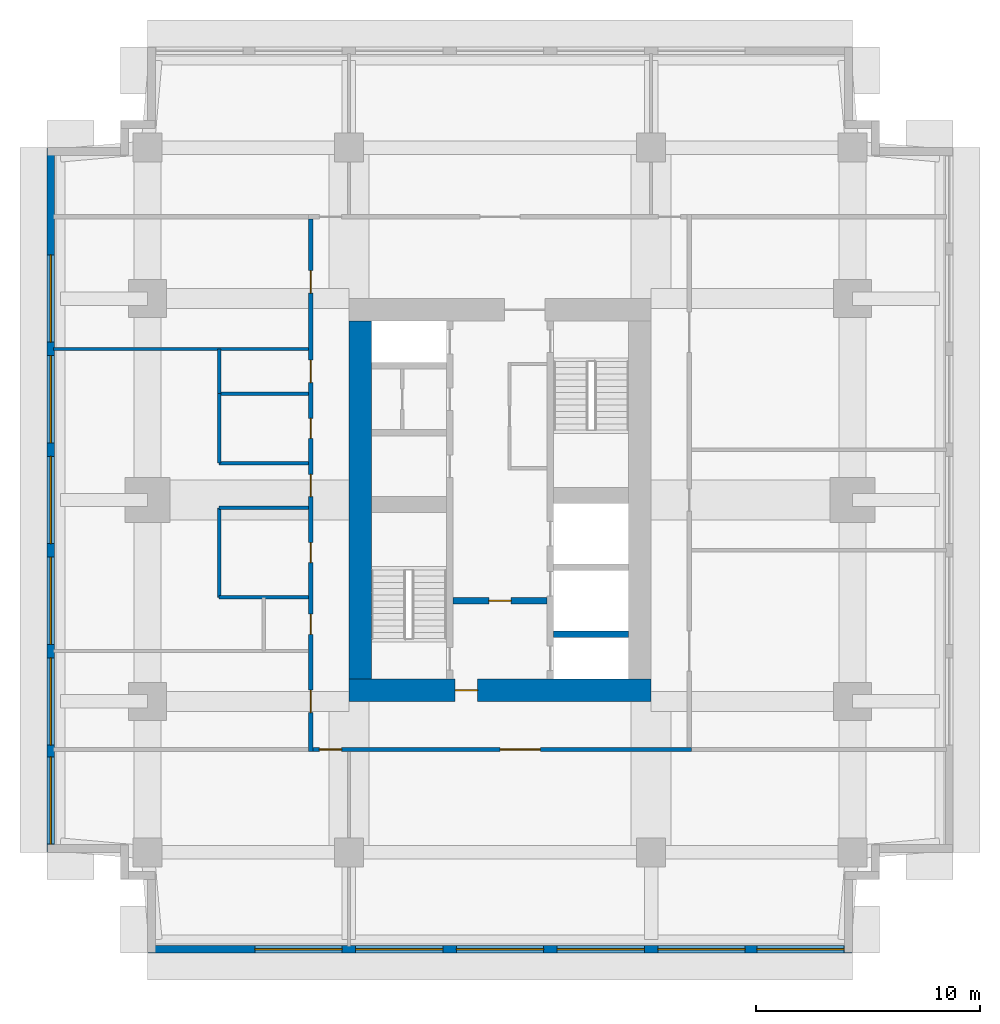
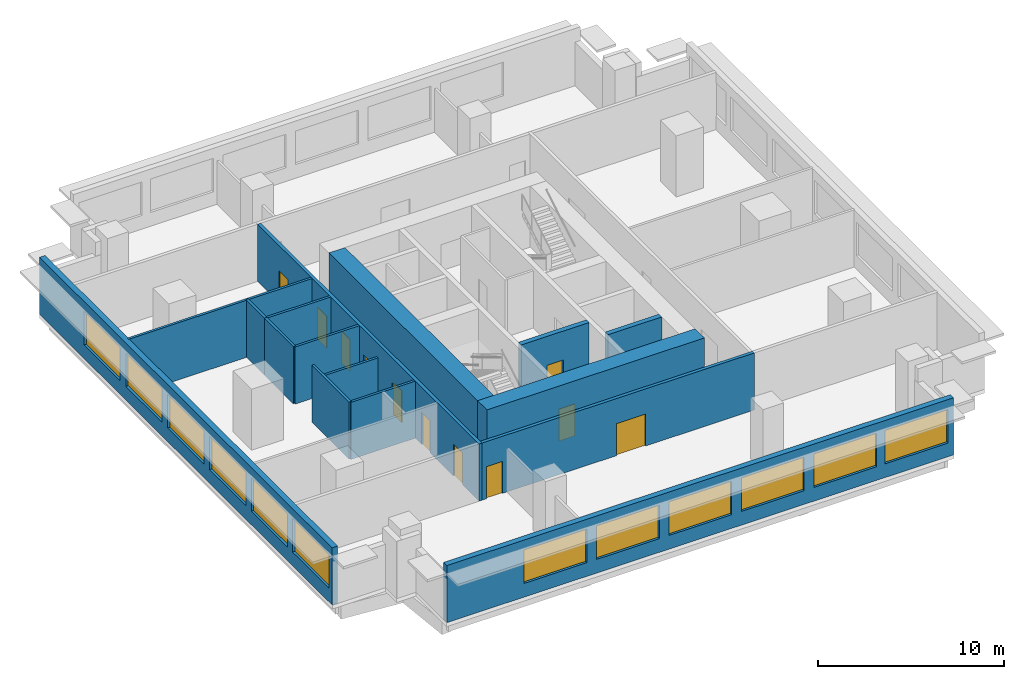
# One storey, part 2 of 5: 16 walls, 12 windows, 11 doors, 23 openings.
"""IFC4 building model written with IfcOpenShell, lengths in metres."""

from ifc_helpers import new_model, si_unit, direction, frame, frame_2d, origin, place, context, subcontext, project, spatial, rectangle, extrude, material, layer, layer_set, type_object, element, fill, save


model = new_model("IFC4")

# Units and contexts
model_context = context("Model", 3, precision=1e-05, world=origin(), true_north=direction((0.0, 1.0)))
body_context = subcontext(model_context, "Body", "Model", "MODEL_VIEW")
ifc_project = project(units=[si_unit("LENGTHUNIT", "METRE"), si_unit("AREAUNIT", "SQUARE_METRE"), si_unit("VOLUMEUNIT", "CUBIC_METRE"), si_unit("PLANEANGLEUNIT", "RADIAN"), si_unit("MASSUNIT", "GRAM", prefix="KILO")], contexts=[model_context])

# Site, building, storey
site_placement = place(None, origin())
site = spatial("IfcSite", under=ifc_project, at=site_placement, CompositionType="ELEMENT")
building_placement = place(site_placement, origin())
building = spatial("IfcBuilding", under=site, at=building_placement, Name="Namib Vertical Campus", CompositionType="ELEMENT")
storey_placement = place(building_placement, frame((0.0, 0.0, 281.0)))
storey = spatial("IfcBuildingStorey", under=building, at=storey_placement, Name="L66", CompositionType="ELEMENT", Elevation=281.0)

# Wall, opening, door
ifc_material_1 = material(Name="Concrete C60/75", Category="concrete")
ifc_layer_1 = layer(ifc_material_1, 0.300048828125)
ifc_layer_set_1 = layer_set([ifc_layer_1], Name="Concrete C60/75")
wall_type_1 = type_object("IfcWallType", Name="Core inner wall 300", PredefinedType="SHEAR", material=ifc_layer_set_1)
wall_1_placement = place(storey_placement, frame((18.14990234375, 15.75, 0.0), z_axis=(0.0, 0.0, 1.0), x_axis=(1.0, 0.0, 0.0)))
wall_1 = element("IfcWall", 1, at=wall_1_placement, inside=storey, type_object=wall_type_1, Name="Core inner wall A L66 W4", PredefinedType="SHEAR", context=body_context, shape_type="SweptSolid", body=[
    extrude(rectangle(XDim=4.2001953125, YDim=0.300048828125, at=frame_2d((2.10009765625, 0.0))), origin(), (0.0, 0.0, 1.0), 4.0),
])
opening_1_placement = place(wall_1_placement, frame((1.60009765625, 0.0, 0.0)))
opening_1 = element("IfcOpeningElement", 2, at=opening_1_placement, cuts=wall_1, Name="Opening FD5", PredefinedType="OPENING", context=body_context, shape_type="SweptSolid", body=[
    extrude(rectangle(XDim=1.0, YDim=2.10009765625, at=frame_2d((0.5, 1.050048828125))), frame((0.0, 0.159912109375, 0.0), z_axis=(0.0, -1.0, 0.0), x_axis=(1.0, 0.0, 0.0)), (0.0, 0.0, 1.0), 0.320068359375),
])
ifc_material_2 = material(Name="Steel fire door", Category="steel")
door_type_1 = type_object("IfcDoorType", Name="Fire door 1000x2100 120 min", OperationType="SINGLE_SWING_RIGHT", PredefinedType="DOOR", material=ifc_material_2)
door_1_placement = place(opening_1_placement, frame((1.0, 0.0, 0.0), z_axis=(0.0, 0.0, 1.0), x_axis=(-1.0, 0.0, 0.0)))
door_1 = element("IfcDoor", 3, at=door_1_placement, inside=storey, type_object=door_type_1, Name="Lobby door FD5 A L66", OperationType="SINGLE_SWING_RIGHT", OverallHeight=2.10009765625, OverallWidth=1.0, PredefinedType="DOOR", context=body_context, shape_type="SweptSolid", body=[
    extrude(rectangle(XDim=1.0, YDim=2.10009765625, at=frame_2d((0.5, 1.050048828125))), frame((0.0, 0.02490234375, 0.0), z_axis=(0.0, -1.0, 0.0), x_axis=(1.0, 0.0, 0.0)), (0.0, 0.0, 1.0), 0.050048828125),
])
fill(opening_1, door_1)

# Wall
wall_2_placement = place(storey_placement, frame((22.64990234375, 14.25, 0.0), z_axis=(0.0, 0.0, 1.0), x_axis=(1.0, 0.0, 0.0)))
element("IfcWall", 4, at=wall_2_placement, inside=storey, type_object=wall_type_1, Name="Core inner wall A L66 W5", PredefinedType="SHEAR", context=body_context, shape_type="SweptSolid", body=[
    extrude(rectangle(XDim=3.35009765625, YDim=0.300048828125, at=frame_2d((1.675048828125, 0.0))), origin(), (0.0, 0.0, 1.0), 4.0),
])

# Wall, opening, door
ifc_material_3 = material(Name="Concrete C60/75", Category="concrete")
ifc_layer_2 = layer(ifc_material_3, 1.0)
ifc_layer_set_2 = layer_set([ifc_layer_2], Name="Concrete C60/75")
wall_type_2 = type_object("IfcWallType", Name="Core wall 1000", PredefinedType="SHEAR", material=ifc_layer_set_2)
wall_3_placement = place(storey_placement, frame((13.5, 11.75, 0.0), z_axis=(0.0, 0.0, 1.0), x_axis=(1.0, 0.0, 0.0)))
wall_3 = element("IfcWall", 5, at=wall_3_placement, inside=storey, type_object=wall_type_2, Name="Core wall A L66 1", PredefinedType="SHEAR", context=body_context, shape_type="SweptSolid", body=[
    extrude(rectangle(XDim=13.5, YDim=1.0, at=frame_2d((6.75, 0.0))), origin(), (0.0, 0.0, 1.0), 4.0),
])
opening_2_placement = place(wall_3_placement, frame((4.75, 0.0, 0.0)))
opening_2 = element("IfcOpeningElement", 6, at=opening_2_placement, cuts=wall_3, Name="Opening FD5", PredefinedType="OPENING", context=body_context, shape_type="SweptSolid", body=[
    extrude(rectangle(XDim=1.0, YDim=2.10009765625, at=frame_2d((0.5, 1.050048828125))), frame((0.0, 0.510009765625, 0.0), z_axis=(0.0, -1.0, 0.0), x_axis=(1.0, 0.0, 0.0)), (0.0, 0.0, 1.0), 1.02001953125),
])
door_2_placement = place(opening_2_placement, origin())
door_2 = element("IfcDoor", 7, at=door_2_placement, inside=storey, type_object=door_type_1, Name="Firefighting lobby door FD5 A L66", OperationType="SINGLE_SWING_LEFT", OverallHeight=2.10009765625, OverallWidth=1.0, PredefinedType="DOOR", context=body_context, shape_type="SweptSolid", body=[
    extrude(rectangle(XDim=1.0, YDim=2.10009765625, at=frame_2d((0.5, 1.050048828125))), frame((0.0, 0.02490234375, 0.0), z_axis=(0.0, -1.0, 0.0), x_axis=(1.0, 0.0, 0.0)), (0.0, 0.0, 1.0), 0.050048828125),
])
fill(opening_2, door_2)

# Wall
wall_4_placement = place(storey_placement, frame((14.0, 28.25, 0.0), z_axis=(0.0, 0.0, 1.0), x_axis=(0.0, -1.0, 0.0)))
element("IfcWall", 8, at=wall_4_placement, inside=storey, type_object=wall_type_2, Name="Core wall A L66 4", PredefinedType="SHEAR", context=body_context, shape_type="SweptSolid", body=[
    extrude(rectangle(XDim=16.0, YDim=1.0, at=frame_2d((8.0, 0.0))), origin(), (0.0, 0.0, 1.0), 4.0),
])

# Wall, openings, doors
ifc_material_4 = material(Name="Concrete masonry", Category="masonry")
ifc_layer_3 = layer(ifc_material_4, 0.199951171875)
ifc_layer_set_3 = layer_set([ifc_layer_3], Name="Corridor wall 200")
wall_type_3 = type_object("IfcWallType", Name="Corridor wall 200", PredefinedType="SOLIDWALL", material=ifc_layer_set_3)
wall_5_placement = place(storey_placement, frame((11.89990234375, 9.10009765625, 0.0), z_axis=(0.0, 0.0, 1.0), x_axis=(1.0, 0.0, 0.0)))
wall_5 = element("IfcWall", 9, at=wall_5_placement, inside=storey, type_object=wall_type_3, Name="Corridor wall A L66 CS", PredefinedType="SOLIDWALL", context=body_context, shape_type="SweptSolid", body=[
    extrude(rectangle(XDim=16.900146484375, YDim=0.199951171875, at=frame_2d((8.4501953125, 0.0))), origin(), (0.0, 0.0, 1.0), 3.75),
])
opening_3_placement = place(wall_5_placement, frame((0.27490234375, 0.0, 0.0)))
opening_3 = element("IfcOpeningElement", 10, at=opening_3_placement, cuts=wall_5, Name="Opening CD1", PredefinedType="OPENING", context=body_context, shape_type="SweptSolid", body=[
    extrude(rectangle(XDim=1.0, YDim=2.10009765625, at=frame_2d((0.5, 1.050048828125))), frame((0.0, 0.10986328125, 0.0), z_axis=(0.0, -1.0, 0.0), x_axis=(1.0, 0.0, 0.0)), (0.0, 0.0, 1.0), 0.219970703125),
])
opening_4_placement = place(wall_5_placement, frame((8.35009765625, 0.0, 0.0)))
opening_4 = element("IfcOpeningElement", 11, at=opening_4_placement, cuts=wall_5, Name="Opening CD2", PredefinedType="OPENING", context=body_context, shape_type="SweptSolid", body=[
    extrude(rectangle(XDim=1.800048828125, YDim=2.10009765625, at=frame_2d((0.89990234375, 1.050048828125))), frame((0.0, 0.10986328125, 0.0), z_axis=(0.0, -1.0, 0.0), x_axis=(1.0, 0.0, 0.0)), (0.0, 0.0, 1.0), 0.219970703125),
])
ifc_material_5 = material(Name="Timber fire door leaf", Category="wood")
door_type_2 = type_object("IfcDoorType", Name="Corridor door 1000x2100 20 min", OperationType="SINGLE_SWING_LEFT", PredefinedType="DOOR", material=ifc_material_5)
door_3_placement = place(opening_3_placement, frame((1.0, 0.0, 0.0), z_axis=(0.0, 0.0, 1.0), x_axis=(-1.0, 0.0, 0.0)))
door_3 = element("IfcDoor", 12, at=door_3_placement, inside=storey, type_object=door_type_2, Name="Door CD1 A66-01", OperationType="SINGLE_SWING_LEFT", OverallHeight=2.10009765625, OverallWidth=1.0, PredefinedType="DOOR", context=body_context, shape_type="SweptSolid", body=[
    extrude(rectangle(XDim=1.0, YDim=2.10009765625, at=frame_2d((0.5, 1.050048828125))), frame((0.0, 0.02490234375, 0.0), z_axis=(0.0, -1.0, 0.0), x_axis=(1.0, 0.0, 0.0)), (0.0, 0.0, 1.0), 0.050048828125),
])
fill(opening_3, door_3)
ifc_material_6 = material(Name="Timber fire door leaf", Category="wood")
door_type_3 = type_object("IfcDoorType", Name="Corridor door double 1800x2100 20 min", OperationType="DOUBLE_DOOR_SINGLE_SWING", PredefinedType="DOOR", material=ifc_material_6)
door_4_placement = place(opening_4_placement, frame((1.800048828125, 0.0, 0.0), z_axis=(0.0, 0.0, 1.0), x_axis=(-1.0, 0.0, 0.0)))
door_4 = element("IfcDoor", 13, at=door_4_placement, inside=storey, type_object=door_type_3, Name="Door CD2 A66-02", OperationType="DOUBLE_DOOR_SINGLE_SWING", OverallHeight=2.10009765625, OverallWidth=1.800048828125, PredefinedType="DOOR", context=body_context, shape_type="SweptSolid", body=[
    extrude(rectangle(XDim=1.800048828125, YDim=2.10009765625, at=frame_2d((0.89990234375, 1.050048828125))), frame((0.0, 0.02490234375, 0.0), z_axis=(0.0, -1.0, 0.0), x_axis=(1.0, 0.0, 0.0)), (0.0, 0.0, 1.0), 0.050048828125),
])
fill(opening_4, door_4)

wall_6_placement = place(storey_placement, frame((11.800048828125, 32.800048828125, 0.0), z_axis=(0.0, 0.0, 1.0), x_axis=(0.0, -1.0, 0.0)))
wall_6 = element("IfcWall", 14, at=wall_6_placement, inside=storey, type_object=wall_type_3, Name="Corridor wall A L66 CW", PredefinedType="SOLIDWALL", context=body_context, shape_type="SweptSolid", body=[
    extrude(rectangle(XDim=23.800048828125, YDim=0.199951171875, at=frame_2d((11.89990234375, 0.0))), origin(), (0.0, 0.0, 1.0), 3.75),
])
opening_5_placement = place(wall_6_placement, frame((21.050048828125, 0.0, 0.0)))
opening_5 = element("IfcOpeningElement", 15, at=opening_5_placement, cuts=wall_6, Name="Opening CD1", PredefinedType="OPENING", context=body_context, shape_type="SweptSolid", body=[
    extrude(rectangle(XDim=1.0, YDim=2.10009765625, at=frame_2d((0.5, 1.050048828125))), frame((0.0, 0.10986328125, 0.0), z_axis=(0.0, -1.0, 0.0), x_axis=(1.0, 0.0, 0.0)), (0.0, 0.0, 1.0), 0.219970703125),
])
opening_6_placement = place(wall_6_placement, frame((17.64990234375, 0.0, 0.0)))
opening_6 = element("IfcOpeningElement", 16, at=opening_6_placement, cuts=wall_6, Name="Opening CD3", PredefinedType="OPENING", context=body_context, shape_type="SweptSolid", body=[
    extrude(rectangle(XDim=0.89990234375, YDim=2.10009765625, at=frame_2d((0.449951171875, 1.050048828125))), frame((0.0, 0.10986328125, 0.0), z_axis=(0.0, -1.0, 0.0), x_axis=(1.0, 0.0, 0.0)), (0.0, 0.0, 1.0), 0.219970703125),
])
opening_7_placement = place(wall_6_placement, frame((14.449951171875, 0.0, 0.0)))
opening_7 = element("IfcOpeningElement", 17, at=opening_7_placement, cuts=wall_6, Name="Opening CD3", PredefinedType="OPENING", context=body_context, shape_type="SweptSolid", body=[
    extrude(rectangle(XDim=0.89990234375, YDim=2.10009765625, at=frame_2d((0.449951171875, 1.050048828125))), frame((0.0, 0.10986328125, 0.0), z_axis=(0.0, -1.0, 0.0), x_axis=(1.0, 0.0, 0.0)), (0.0, 0.0, 1.0), 0.219970703125),
])
opening_8_placement = place(wall_6_placement, frame((8.89990234375, 0.0, 0.0)))
opening_8 = element("IfcOpeningElement", 18, at=opening_8_placement, cuts=wall_6, Name="Opening CD3", PredefinedType="OPENING", context=body_context, shape_type="SweptSolid", body=[
    extrude(rectangle(XDim=0.89990234375, YDim=2.10009765625, at=frame_2d((0.449951171875, 1.050048828125))), frame((0.0, 0.10986328125, 0.0), z_axis=(0.0, -1.0, 0.0), x_axis=(1.0, 0.0, 0.0)), (0.0, 0.0, 1.0), 0.219970703125),
])
opening_9_placement = place(wall_6_placement, frame((6.300048828125, 0.0, 0.0)))
opening_9 = element("IfcOpeningElement", 19, at=opening_9_placement, cuts=wall_6, Name="Opening CD1", PredefinedType="OPENING", context=body_context, shape_type="SweptSolid", body=[
    extrude(rectangle(XDim=1.0, YDim=2.10009765625, at=frame_2d((0.5, 1.050048828125))), frame((0.0, 0.10986328125, 0.0), z_axis=(0.0, -1.0, 0.0), x_axis=(1.0, 0.0, 0.0)), (0.0, 0.0, 1.0), 0.219970703125),
])
opening_10_placement = place(wall_6_placement, frame((11.39990234375, 0.0, 0.0)))
opening_10 = element("IfcOpeningElement", 20, at=opening_10_placement, cuts=wall_6, Name="Opening CD1", PredefinedType="OPENING", context=body_context, shape_type="SweptSolid", body=[
    extrude(rectangle(XDim=1.0, YDim=2.10009765625, at=frame_2d((0.5, 1.050048828125))), frame((0.0, 0.10986328125, 0.0), z_axis=(0.0, -1.0, 0.0), x_axis=(1.0, 0.0, 0.0)), (0.0, 0.0, 1.0), 0.219970703125),
])
opening_11_placement = place(wall_6_placement, frame((2.300048828125, 0.0, 0.0)))
opening_11 = element("IfcOpeningElement", 21, at=opening_11_placement, cuts=wall_6, Name="Opening CD1", PredefinedType="OPENING", context=body_context, shape_type="SweptSolid", body=[
    extrude(rectangle(XDim=1.0, YDim=2.10009765625, at=frame_2d((0.5, 1.050048828125))), frame((0.0, 0.10986328125, 0.0), z_axis=(0.0, -1.0, 0.0), x_axis=(1.0, 0.0, 0.0)), (0.0, 0.0, 1.0), 0.219970703125),
])
door_5_placement = place(opening_5_placement, frame((1.0, 0.0, 0.0), z_axis=(0.0, 0.0, 1.0), x_axis=(-1.0, 0.0, 0.0)))
door_5 = element("IfcDoor", 22, at=door_5_placement, inside=storey, type_object=door_type_2, Name="Door CD1 A66-09", OperationType="SINGLE_SWING_RIGHT", OverallHeight=2.10009765625, OverallWidth=1.0, PredefinedType="DOOR", context=body_context, shape_type="SweptSolid", body=[
    extrude(rectangle(XDim=1.0, YDim=2.10009765625, at=frame_2d((0.5, 1.050048828125))), frame((0.0, 0.02490234375, 0.0), z_axis=(0.0, -1.0, 0.0), x_axis=(1.0, 0.0, 0.0)), (0.0, 0.0, 1.0), 0.050048828125),
])
fill(opening_5, door_5)
door_6_placement = place(opening_9_placement, frame((1.0, 0.0, 0.0), z_axis=(0.0, 0.0, 1.0), x_axis=(-1.0, 0.0, 0.0)))
door_6 = element("IfcDoor", 23, at=door_6_placement, inside=storey, type_object=door_type_2, Name="Door CD1 A66-13", OperationType="SINGLE_SWING_RIGHT", OverallHeight=2.10009765625, OverallWidth=1.0, PredefinedType="DOOR", context=body_context, shape_type="SweptSolid", body=[
    extrude(rectangle(XDim=1.0, YDim=2.10009765625, at=frame_2d((0.5, 1.050048828125))), frame((0.0, 0.02490234375, 0.0), z_axis=(0.0, -1.0, 0.0), x_axis=(1.0, 0.0, 0.0)), (0.0, 0.0, 1.0), 0.050048828125),
])
fill(opening_9, door_6)
door_7_placement = place(opening_10_placement, frame((1.0, 0.0, 0.0), z_axis=(0.0, 0.0, 1.0), x_axis=(-1.0, 0.0, 0.0)))
door_7 = element("IfcDoor", 24, at=door_7_placement, inside=storey, type_object=door_type_2, Name="Door CD1 A66-14", OperationType="SINGLE_SWING_RIGHT", OverallHeight=2.10009765625, OverallWidth=1.0, PredefinedType="DOOR", context=body_context, shape_type="SweptSolid", body=[
    extrude(rectangle(XDim=1.0, YDim=2.10009765625, at=frame_2d((0.5, 1.050048828125))), frame((0.0, 0.02490234375, 0.0), z_axis=(0.0, -1.0, 0.0), x_axis=(1.0, 0.0, 0.0)), (0.0, 0.0, 1.0), 0.050048828125),
])
fill(opening_10, door_7)
door_8_placement = place(opening_11_placement, frame((1.0, 0.0, 0.0), z_axis=(0.0, 0.0, 1.0), x_axis=(-1.0, 0.0, 0.0)))
door_8 = element("IfcDoor", 25, at=door_8_placement, inside=storey, type_object=door_type_2, Name="Door CD1 A66-15", OperationType="SINGLE_SWING_RIGHT", OverallHeight=2.10009765625, OverallWidth=1.0, PredefinedType="DOOR", context=body_context, shape_type="SweptSolid", body=[
    extrude(rectangle(XDim=1.0, YDim=2.10009765625, at=frame_2d((0.5, 1.050048828125))), frame((0.0, 0.02490234375, 0.0), z_axis=(0.0, -1.0, 0.0), x_axis=(1.0, 0.0, 0.0)), (0.0, 0.0, 1.0), 0.050048828125),
])
fill(opening_11, door_8)
ifc_material_7 = material(Name="Timber fire door leaf", Category="wood")
door_type_4 = type_object("IfcDoorType", Name="Corridor toilet door 900x2100 20 min", OperationType="SINGLE_SWING_LEFT", PredefinedType="DOOR", material=ifc_material_7)
door_9_placement = place(opening_6_placement, frame((0.89990234375, 0.0, 0.0), z_axis=(0.0, 0.0, 1.0), x_axis=(-1.0, 0.0, 0.0)))
door_9 = element("IfcDoor", 26, at=door_9_placement, inside=storey, type_object=door_type_4, Name="Door CD3 A66-10", OperationType="SINGLE_SWING_RIGHT", OverallHeight=2.10009765625, OverallWidth=0.89990234375, PredefinedType="DOOR", context=body_context, shape_type="SweptSolid", body=[
    extrude(rectangle(XDim=0.89990234375, YDim=2.10009765625, at=frame_2d((0.449951171875, 1.050048828125))), frame((0.0, 0.02490234375, 0.0), z_axis=(0.0, -1.0, 0.0), x_axis=(1.0, 0.0, 0.0)), (0.0, 0.0, 1.0), 0.050048828125),
])
fill(opening_6, door_9)
door_10_placement = place(opening_7_placement, frame((0.89990234375, 0.0, 0.0), z_axis=(0.0, 0.0, 1.0), x_axis=(-1.0, 0.0, 0.0)))
door_10 = element("IfcDoor", 27, at=door_10_placement, inside=storey, type_object=door_type_4, Name="Door CD3 A66-11", OperationType="SINGLE_SWING_RIGHT", OverallHeight=2.10009765625, OverallWidth=0.89990234375, PredefinedType="DOOR", context=body_context, shape_type="SweptSolid", body=[
    extrude(rectangle(XDim=0.89990234375, YDim=2.10009765625, at=frame_2d((0.449951171875, 1.050048828125))), frame((0.0, 0.02490234375, 0.0), z_axis=(0.0, -1.0, 0.0), x_axis=(1.0, 0.0, 0.0)), (0.0, 0.0, 1.0), 0.050048828125),
])
fill(opening_7, door_10)
door_11_placement = place(opening_8_placement, frame((0.89990234375, 0.0, 0.0), z_axis=(0.0, 0.0, 1.0), x_axis=(-1.0, 0.0, 0.0)))
door_11 = element("IfcDoor", 28, at=door_11_placement, inside=storey, type_object=door_type_4, Name="Door CD3 A66-12", OperationType="SINGLE_SWING_RIGHT", OverallHeight=2.10009765625, OverallWidth=0.89990234375, PredefinedType="DOOR", context=body_context, shape_type="SweptSolid", body=[
    extrude(rectangle(XDim=0.89990234375, YDim=2.10009765625, at=frame_2d((0.449951171875, 1.050048828125))), frame((0.0, 0.02490234375, 0.0), z_axis=(0.0, -1.0, 0.0), x_axis=(1.0, 0.0, 0.0)), (0.0, 0.0, 1.0), 0.050048828125),
])
fill(opening_8, door_11)

# Wall, openings, windows
ifc_material_8 = material(Name="Concrete C40/50", Category="concrete")
ifc_layer_4 = layer(ifc_material_8, 0.35009765625)
ifc_layer_set_4 = layer_set([ifc_layer_4], Name="Concrete C40/50")
wall_type_4 = type_object("IfcWallType", Name="External wall 350 bush-hammered concrete", PredefinedType="STANDARD", material=ifc_layer_set_4)
wall_7_placement = place(storey_placement, frame((4.52001953125, 0.175048828125, 0.0), z_axis=(0.0, 0.0, 1.0), x_axis=(1.0, 0.0, 0.0)))
wall_7 = element("IfcWall", 29, at=wall_7_placement, inside=storey, type_object=wall_type_4, Name="External wall L66 F01", PredefinedType="STANDARD", context=body_context, shape_type="SweptSolid", body=[
    extrude(rectangle(XDim=31.4599609375, YDim=0.35009765625, at=frame_2d((15.72998046875, 0.0))), origin(), (0.0, 0.0, 1.0), 3.75),
])
opening_12_placement = place(wall_7_placement, frame((4.780029296875, 0.0, 0.89990234375)))
opening_12 = element("IfcOpeningElement", 30, at=opening_12_placement, cuts=wall_7, Name="Opening W1", PredefinedType="OPENING", context=body_context, shape_type="SweptSolid", body=[
    extrude(rectangle(XDim=3.89990234375, YDim=2.199951171875, at=frame_2d((1.949951171875, 1.10009765625))), frame((0.0, 0.18505859375, 0.0), z_axis=(0.0, -1.0, 0.0), x_axis=(1.0, 0.0, 0.0)), (0.0, 0.0, 1.0), 0.3701171875),
])
opening_13_placement = place(wall_7_placement, frame((9.280029296875, 0.0, 0.89990234375)))
opening_13 = element("IfcOpeningElement", 31, at=opening_13_placement, cuts=wall_7, Name="Opening W1", PredefinedType="OPENING", context=body_context, shape_type="SweptSolid", body=[
    extrude(rectangle(XDim=3.89990234375, YDim=2.199951171875, at=frame_2d((1.949951171875, 1.10009765625))), frame((0.0, 0.18505859375, 0.0), z_axis=(0.0, -1.0, 0.0), x_axis=(1.0, 0.0, 0.0)), (0.0, 0.0, 1.0), 0.3701171875),
])
opening_14_placement = place(wall_7_placement, frame((13.780029296875, 0.0, 0.89990234375)))
opening_14 = element("IfcOpeningElement", 32, at=opening_14_placement, cuts=wall_7, Name="Opening W1", PredefinedType="OPENING", context=body_context, shape_type="SweptSolid", body=[
    extrude(rectangle(XDim=3.89990234375, YDim=2.199951171875, at=frame_2d((1.949951171875, 1.10009765625))), frame((0.0, 0.18505859375, 0.0), z_axis=(0.0, -1.0, 0.0), x_axis=(1.0, 0.0, 0.0)), (0.0, 0.0, 1.0), 0.3701171875),
])
opening_15_placement = place(wall_7_placement, frame((18.280029296875, 0.0, 0.89990234375)))
opening_15 = element("IfcOpeningElement", 33, at=opening_15_placement, cuts=wall_7, Name="Opening W1", PredefinedType="OPENING", context=body_context, shape_type="SweptSolid", body=[
    extrude(rectangle(XDim=3.89990234375, YDim=2.199951171875, at=frame_2d((1.949951171875, 1.10009765625))), frame((0.0, 0.18505859375, 0.0), z_axis=(0.0, -1.0, 0.0), x_axis=(1.0, 0.0, 0.0)), (0.0, 0.0, 1.0), 0.3701171875),
])
opening_16_placement = place(wall_7_placement, frame((22.780029296875, 0.0, 0.89990234375)))
opening_16 = element("IfcOpeningElement", 34, at=opening_16_placement, cuts=wall_7, Name="Opening W1", PredefinedType="OPENING", context=body_context, shape_type="SweptSolid", body=[
    extrude(rectangle(XDim=3.89990234375, YDim=2.199951171875, at=frame_2d((1.949951171875, 1.10009765625))), frame((0.0, 0.18505859375, 0.0), z_axis=(0.0, -1.0, 0.0), x_axis=(1.0, 0.0, 0.0)), (0.0, 0.0, 1.0), 0.3701171875),
])
opening_17_placement = place(wall_7_placement, frame((27.2099609375, 0.0, 0.89990234375)))
opening_17 = element("IfcOpeningElement", 35, at=opening_17_placement, cuts=wall_7, Name="Opening W1", PredefinedType="OPENING", context=body_context, shape_type="SweptSolid", body=[
    extrude(rectangle(XDim=3.89990234375, YDim=2.199951171875, at=frame_2d((1.949951171875, 1.10009765625))), frame((0.0, 0.18505859375, 0.0), z_axis=(0.0, -1.0, 0.0), x_axis=(1.0, 0.0, 0.0)), (0.0, 0.0, 1.0), 0.3701171875),
])
ifc_material_9 = material(Name="Dark tinted glass in black aluminium frame", Category="aluminium")
window_type = type_object("IfcWindowType", Name="Ribbon window 3900x2200", PartitioningType="SINGLE_PANEL", PredefinedType="WINDOW", material=ifc_material_9)
window_1_placement = place(opening_12_placement, origin())
window_1 = element("IfcWindow", 36, at=window_1_placement, inside=storey, type_object=window_type, Name="Window W1 L66 F01-2", OverallHeight=2.199951171875, OverallWidth=3.89990234375, PartitioningType="SINGLE_PANEL", PredefinedType="WINDOW", context=body_context, shape_type="SweptSolid", body=[
    extrude(rectangle(XDim=3.89990234375, YDim=2.199951171875, at=frame_2d((1.949951171875, 1.10009765625))), frame((0.0, 0.030029296875, 0.0), z_axis=(0.0, -1.0, 0.0), x_axis=(1.0, 0.0, 0.0)), (0.0, 0.0, 1.0), 0.06005859375),
])
fill(opening_12, window_1)
window_2_placement = place(opening_13_placement, origin())
window_2 = element("IfcWindow", 37, at=window_2_placement, inside=storey, type_object=window_type, Name="Window W1 L66 F01-3", OverallHeight=2.199951171875, OverallWidth=3.89990234375, PartitioningType="SINGLE_PANEL", PredefinedType="WINDOW", context=body_context, shape_type="SweptSolid", body=[
    extrude(rectangle(XDim=3.89990234375, YDim=2.199951171875, at=frame_2d((1.949951171875, 1.10009765625))), frame((0.0, 0.030029296875, 0.0), z_axis=(0.0, -1.0, 0.0), x_axis=(1.0, 0.0, 0.0)), (0.0, 0.0, 1.0), 0.06005859375),
])
fill(opening_13, window_2)
window_3_placement = place(opening_14_placement, origin())
window_3 = element("IfcWindow", 38, at=window_3_placement, inside=storey, type_object=window_type, Name="Window W1 L66 F01-4", OverallHeight=2.199951171875, OverallWidth=3.89990234375, PartitioningType="SINGLE_PANEL", PredefinedType="WINDOW", context=body_context, shape_type="SweptSolid", body=[
    extrude(rectangle(XDim=3.89990234375, YDim=2.199951171875, at=frame_2d((1.949951171875, 1.10009765625))), frame((0.0, 0.030029296875, 0.0), z_axis=(0.0, -1.0, 0.0), x_axis=(1.0, 0.0, 0.0)), (0.0, 0.0, 1.0), 0.06005859375),
])
fill(opening_14, window_3)
window_4_placement = place(opening_15_placement, origin())
window_4 = element("IfcWindow", 39, at=window_4_placement, inside=storey, type_object=window_type, Name="Window W1 L66 F01-5", OverallHeight=2.199951171875, OverallWidth=3.89990234375, PartitioningType="SINGLE_PANEL", PredefinedType="WINDOW", context=body_context, shape_type="SweptSolid", body=[
    extrude(rectangle(XDim=3.89990234375, YDim=2.199951171875, at=frame_2d((1.949951171875, 1.10009765625))), frame((0.0, 0.030029296875, 0.0), z_axis=(0.0, -1.0, 0.0), x_axis=(1.0, 0.0, 0.0)), (0.0, 0.0, 1.0), 0.06005859375),
])
fill(opening_15, window_4)
window_5_placement = place(opening_16_placement, origin())
window_5 = element("IfcWindow", 40, at=window_5_placement, inside=storey, type_object=window_type, Name="Window W1 L66 F01-6", OverallHeight=2.199951171875, OverallWidth=3.89990234375, PartitioningType="SINGLE_PANEL", PredefinedType="WINDOW", context=body_context, shape_type="SweptSolid", body=[
    extrude(rectangle(XDim=3.89990234375, YDim=2.199951171875, at=frame_2d((1.949951171875, 1.10009765625))), frame((0.0, 0.030029296875, 0.0), z_axis=(0.0, -1.0, 0.0), x_axis=(1.0, 0.0, 0.0)), (0.0, 0.0, 1.0), 0.06005859375),
])
fill(opening_16, window_5)
window_6_placement = place(opening_17_placement, origin())
window_6 = element("IfcWindow", 41, at=window_6_placement, inside=storey, type_object=window_type, Name="Window W1 L66 F01-7", OverallHeight=2.199951171875, OverallWidth=3.89990234375, PartitioningType="SINGLE_PANEL", PredefinedType="WINDOW", context=body_context, shape_type="SweptSolid", body=[
    extrude(rectangle(XDim=3.89990234375, YDim=2.199951171875, at=frame_2d((1.949951171875, 1.10009765625))), frame((0.0, 0.030029296875, 0.0), z_axis=(0.0, -1.0, 0.0), x_axis=(1.0, 0.0, 0.0)), (0.0, 0.0, 1.0), 0.06005859375),
])
fill(opening_17, window_6)

wall_8_placement = place(storey_placement, frame((0.175048828125, 35.97998046875, 0.0), z_axis=(0.0, 0.0, 1.0), x_axis=(0.0, -1.0, 0.0)))
wall_8 = element("IfcWall", 42, at=wall_8_placement, inside=storey, type_object=wall_type_4, Name="External wall L66 F16", PredefinedType="STANDARD", context=body_context, shape_type="SweptSolid", body=[
    extrude(rectangle(XDim=31.4599609375, YDim=0.35009765625, at=frame_2d((15.72998046875, 0.0))), origin(), (0.0, 0.0, 1.0), 3.75),
])
opening_18_placement = place(wall_8_placement, frame((27.2099609375, 0.0, 0.89990234375)))
opening_18 = element("IfcOpeningElement", 43, at=opening_18_placement, cuts=wall_8, Name="Opening W1", PredefinedType="OPENING", context=body_context, shape_type="SweptSolid", body=[
    extrude(rectangle(XDim=3.89990234375, YDim=2.199951171875, at=frame_2d((1.949951171875, 1.10009765625))), frame((0.0, 0.18505859375, 0.0), z_axis=(0.0, -1.0, 0.0), x_axis=(1.0, 0.0, 0.0)), (0.0, 0.0, 1.0), 0.3701171875),
])
opening_19_placement = place(wall_8_placement, frame((22.780029296875, 0.0, 0.89990234375)))
opening_19 = element("IfcOpeningElement", 44, at=opening_19_placement, cuts=wall_8, Name="Opening W1", PredefinedType="OPENING", context=body_context, shape_type="SweptSolid", body=[
    extrude(rectangle(XDim=3.89990234375, YDim=2.199951171875, at=frame_2d((1.949951171875, 1.10009765625))), frame((0.0, 0.18505859375, 0.0), z_axis=(0.0, -1.0, 0.0), x_axis=(1.0, 0.0, 0.0)), (0.0, 0.0, 1.0), 0.3701171875),
])
opening_20_placement = place(wall_8_placement, frame((18.280029296875, 0.0, 0.89990234375)))
opening_20 = element("IfcOpeningElement", 45, at=opening_20_placement, cuts=wall_8, Name="Opening W1", PredefinedType="OPENING", context=body_context, shape_type="SweptSolid", body=[
    extrude(rectangle(XDim=3.89990234375, YDim=2.199951171875, at=frame_2d((1.949951171875, 1.10009765625))), frame((0.0, 0.18505859375, 0.0), z_axis=(0.0, -1.0, 0.0), x_axis=(1.0, 0.0, 0.0)), (0.0, 0.0, 1.0), 0.3701171875),
])
opening_21_placement = place(wall_8_placement, frame((13.780029296875, 0.0, 0.89990234375)))
opening_21 = element("IfcOpeningElement", 46, at=opening_21_placement, cuts=wall_8, Name="Opening W1", PredefinedType="OPENING", context=body_context, shape_type="SweptSolid", body=[
    extrude(rectangle(XDim=3.89990234375, YDim=2.199951171875, at=frame_2d((1.949951171875, 1.10009765625))), frame((0.0, 0.18505859375, 0.0), z_axis=(0.0, -1.0, 0.0), x_axis=(1.0, 0.0, 0.0)), (0.0, 0.0, 1.0), 0.3701171875),
])
opening_22_placement = place(wall_8_placement, frame((9.280029296875, 0.0, 0.89990234375)))
opening_22 = element("IfcOpeningElement", 47, at=opening_22_placement, cuts=wall_8, Name="Opening W1", PredefinedType="OPENING", context=body_context, shape_type="SweptSolid", body=[
    extrude(rectangle(XDim=3.89990234375, YDim=2.199951171875, at=frame_2d((1.949951171875, 1.10009765625))), frame((0.0, 0.18505859375, 0.0), z_axis=(0.0, -1.0, 0.0), x_axis=(1.0, 0.0, 0.0)), (0.0, 0.0, 1.0), 0.3701171875),
])
opening_23_placement = place(wall_8_placement, frame((4.780029296875, 0.0, 0.89990234375)))
opening_23 = element("IfcOpeningElement", 48, at=opening_23_placement, cuts=wall_8, Name="Opening W1", PredefinedType="OPENING", context=body_context, shape_type="SweptSolid", body=[
    extrude(rectangle(XDim=3.89990234375, YDim=2.199951171875, at=frame_2d((1.949951171875, 1.10009765625))), frame((0.0, 0.18505859375, 0.0), z_axis=(0.0, -1.0, 0.0), x_axis=(1.0, 0.0, 0.0)), (0.0, 0.0, 1.0), 0.3701171875),
])
window_7_placement = place(opening_18_placement, origin())
window_7 = element("IfcWindow", 49, at=window_7_placement, inside=storey, type_object=window_type, Name="Window W1 L66 F16-1", OverallHeight=2.199951171875, OverallWidth=3.89990234375, PartitioningType="SINGLE_PANEL", PredefinedType="WINDOW", context=body_context, shape_type="SweptSolid", body=[
    extrude(rectangle(XDim=3.89990234375, YDim=2.199951171875, at=frame_2d((1.949951171875, 1.10009765625))), frame((0.0, 0.030029296875, 0.0), z_axis=(0.0, -1.0, 0.0), x_axis=(1.0, 0.0, 0.0)), (0.0, 0.0, 1.0), 0.06005859375),
])
fill(opening_18, window_7)
window_8_placement = place(opening_19_placement, origin())
window_8 = element("IfcWindow", 50, at=window_8_placement, inside=storey, type_object=window_type, Name="Window W1 L66 F16-2", OverallHeight=2.199951171875, OverallWidth=3.89990234375, PartitioningType="SINGLE_PANEL", PredefinedType="WINDOW", context=body_context, shape_type="SweptSolid", body=[
    extrude(rectangle(XDim=3.89990234375, YDim=2.199951171875, at=frame_2d((1.949951171875, 1.10009765625))), frame((0.0, 0.030029296875, 0.0), z_axis=(0.0, -1.0, 0.0), x_axis=(1.0, 0.0, 0.0)), (0.0, 0.0, 1.0), 0.06005859375),
])
fill(opening_19, window_8)
window_9_placement = place(opening_20_placement, origin())
window_9 = element("IfcWindow", 51, at=window_9_placement, inside=storey, type_object=window_type, Name="Window W1 L66 F16-3", OverallHeight=2.199951171875, OverallWidth=3.89990234375, PartitioningType="SINGLE_PANEL", PredefinedType="WINDOW", context=body_context, shape_type="SweptSolid", body=[
    extrude(rectangle(XDim=3.89990234375, YDim=2.199951171875, at=frame_2d((1.949951171875, 1.10009765625))), frame((0.0, 0.030029296875, 0.0), z_axis=(0.0, -1.0, 0.0), x_axis=(1.0, 0.0, 0.0)), (0.0, 0.0, 1.0), 0.06005859375),
])
fill(opening_20, window_9)
window_10_placement = place(opening_21_placement, origin())
window_10 = element("IfcWindow", 52, at=window_10_placement, inside=storey, type_object=window_type, Name="Window W1 L66 F16-4", OverallHeight=2.199951171875, OverallWidth=3.89990234375, PartitioningType="SINGLE_PANEL", PredefinedType="WINDOW", context=body_context, shape_type="SweptSolid", body=[
    extrude(rectangle(XDim=3.89990234375, YDim=2.199951171875, at=frame_2d((1.949951171875, 1.10009765625))), frame((0.0, 0.030029296875, 0.0), z_axis=(0.0, -1.0, 0.0), x_axis=(1.0, 0.0, 0.0)), (0.0, 0.0, 1.0), 0.06005859375),
])
fill(opening_21, window_10)
window_11_placement = place(opening_22_placement, origin())
window_11 = element("IfcWindow", 53, at=window_11_placement, inside=storey, type_object=window_type, Name="Window W1 L66 F16-5", OverallHeight=2.199951171875, OverallWidth=3.89990234375, PartitioningType="SINGLE_PANEL", PredefinedType="WINDOW", context=body_context, shape_type="SweptSolid", body=[
    extrude(rectangle(XDim=3.89990234375, YDim=2.199951171875, at=frame_2d((1.949951171875, 1.10009765625))), frame((0.0, 0.030029296875, 0.0), z_axis=(0.0, -1.0, 0.0), x_axis=(1.0, 0.0, 0.0)), (0.0, 0.0, 1.0), 0.06005859375),
])
fill(opening_22, window_11)
window_12_placement = place(opening_23_placement, origin())
window_12 = element("IfcWindow", 54, at=window_12_placement, inside=storey, type_object=window_type, Name="Window W1 L66 F16-6", OverallHeight=2.199951171875, OverallWidth=3.89990234375, PartitioningType="SINGLE_PANEL", PredefinedType="WINDOW", context=body_context, shape_type="SweptSolid", body=[
    extrude(rectangle(XDim=3.89990234375, YDim=2.199951171875, at=frame_2d((1.949951171875, 1.10009765625))), frame((0.0, 0.030029296875, 0.0), z_axis=(0.0, -1.0, 0.0), x_axis=(1.0, 0.0, 0.0)), (0.0, 0.0, 1.0), 0.06005859375),
])
fill(opening_23, window_12)

# Walls
ifc_material_10 = material(Name="Gypsum board on steel studs", Category="steel")
ifc_layer_5 = layer(ifc_material_10, 0.14990234375)
ifc_layer_set_5 = layer_set([ifc_layer_5], Name="Gypsum board on steel studs")
wall_type_5 = type_object("IfcWallType", Name="Partition 150", PredefinedType="PARTITIONING", material=ifc_layer_set_5)
wall_9_placement = place(storey_placement, frame((0.300048828125, 27.0, 0.0), z_axis=(0.0, 0.0, 1.0), x_axis=(1.0, 0.0, 0.0)))
element("IfcWall", 55, at=wall_9_placement, inside=storey, type_object=wall_type_5, Name="Partition A L66 PW2", PredefinedType="PARTITIONING", context=body_context, shape_type="SweptSolid", body=[
    extrude(rectangle(XDim=11.39990234375, YDim=0.14990234375, at=frame_2d((5.699951171875, 0.0))), origin(), (0.0, 0.0, 1.0), 3.75),
])
wall_10_placement = place(storey_placement, frame((11.699951171875, 15.89990234375, 0.0), z_axis=(0.0, 0.0, 1.0), x_axis=(-1.0, 0.0, 0.0)))
element("IfcWall", 56, at=wall_10_placement, inside=storey, type_object=wall_type_5, Name="Partition A L66 WR1", PredefinedType="PARTITIONING", context=body_context, shape_type="SweptSolid", body=[
    extrude(rectangle(XDim=4.0, YDim=0.14990234375, at=frame_2d((2.0, 0.0))), origin(), (0.0, 0.0, 1.0), 3.75),
])
wall_11_placement = place(storey_placement, frame((11.699951171875, 19.89990234375, 0.0), z_axis=(0.0, 0.0, 1.0), x_axis=(-1.0, 0.0, 0.0)))
element("IfcWall", 57, at=wall_11_placement, inside=storey, type_object=wall_type_5, Name="Partition A L66 WR2", PredefinedType="PARTITIONING", context=body_context, shape_type="SweptSolid", body=[
    extrude(rectangle(XDim=4.0, YDim=0.14990234375, at=frame_2d((2.0, 0.0))), origin(), (0.0, 0.0, 1.0), 2.85009765625),
])
for number, where, z_axis, x_axis, name in (
    (58, (11.699951171875, 21.89990234375, 0.0), (0.0, 0.0, 1.0), (-1.0, 0.0, 0.0), "Partition A L66 WR3"),
    (59, (11.699951171875, 25.0, 0.0), (0.0, 0.0, 1.0), (-1.0, 0.0, 0.0), "Partition A L66 WR4"),
    (60, (7.699951171875, 15.89990234375, 0.0), (0.0, 0.0, 1.0), (0.0, 1.0, 0.0), "Partition A L66 WB2"),
):
    element("IfcWall", number, at=place(storey_placement, frame(where, z_axis=z_axis, x_axis=x_axis)), inside=storey, type_object=wall_type_5, Name=name, PredefinedType="PARTITIONING", context=body_context, shape_type="SweptSolid", body=[
        extrude(rectangle(XDim=4.0, YDim=0.14990234375, at=frame_2d((2.0, 0.0))), origin(), (0.0, 0.0, 1.0), 3.75),
    ])
wall_12_placement = place(storey_placement, frame((7.699951171875, 21.89990234375, 0.0), z_axis=(0.0, 0.0, 1.0), x_axis=(0.0, 1.0, 0.0)))
element("IfcWall", 61, at=wall_12_placement, inside=storey, type_object=wall_type_5, Name="Partition A L66 WB3", PredefinedType="PARTITIONING", context=body_context, shape_type="SweptSolid", body=[
    extrude(rectangle(XDim=3.10009765625, YDim=0.14990234375, at=frame_2d((1.550048828125, 0.0))), origin(), (0.0, 0.0, 1.0), 3.75),
])
wall_13_placement = place(storey_placement, frame((7.699951171875, 25.0, 0.0), z_axis=(0.0, 0.0, 1.0), x_axis=(0.0, 1.0, 0.0)))
element("IfcWall", 62, at=wall_13_placement, inside=storey, type_object=wall_type_5, Name="Partition A L66 WB4", PredefinedType="PARTITIONING", context=body_context, shape_type="SweptSolid", body=[
    extrude(rectangle(XDim=2.0, YDim=0.14990234375, at=frame_2d((1.0, 0.0))), origin(), (0.0, 0.0, 1.0), 3.75),
])

save(model, "model.ifc")
